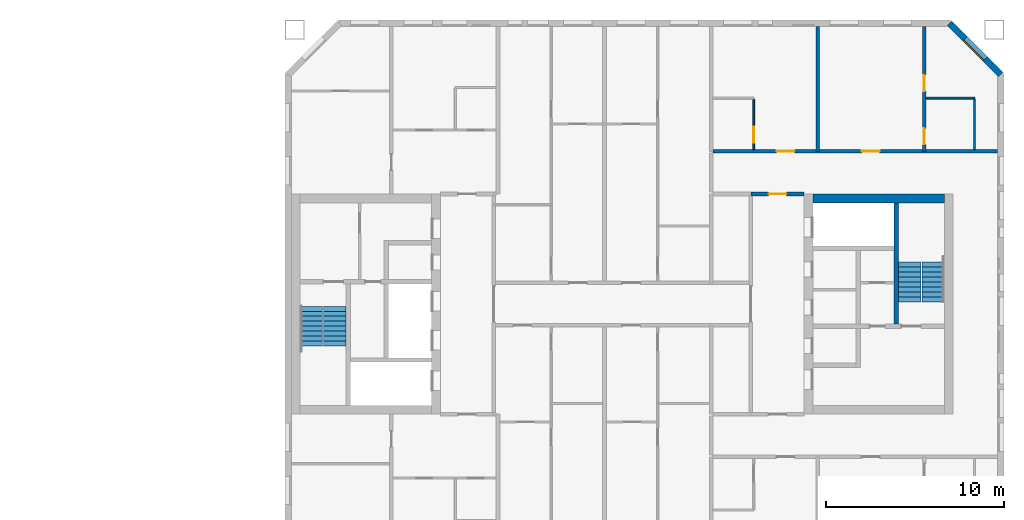
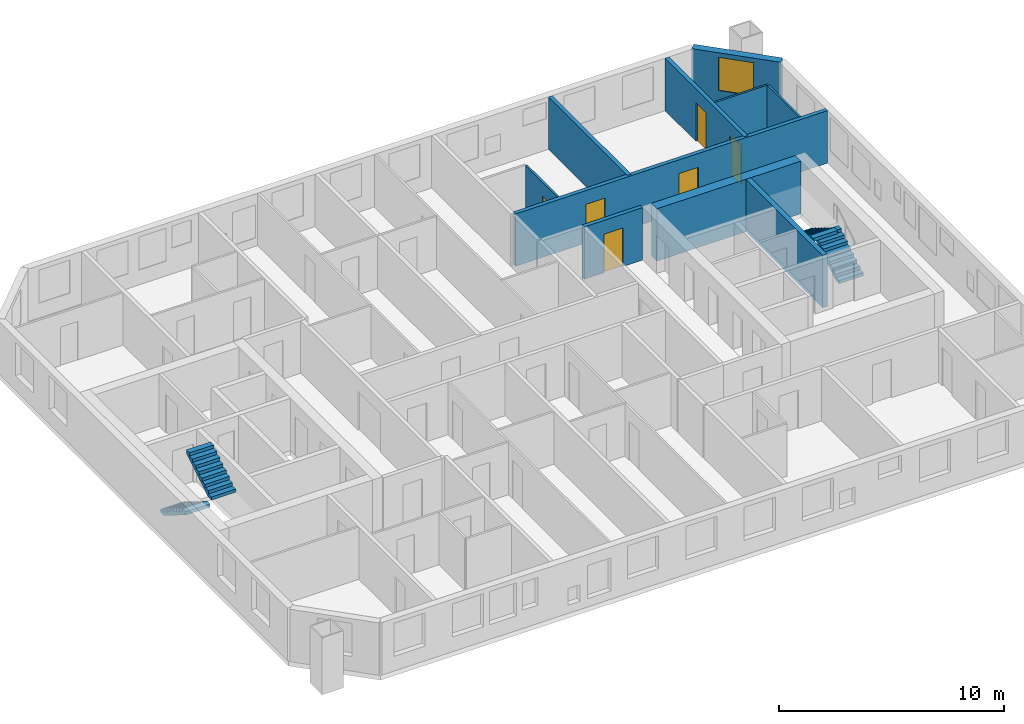
# One storey, part 14 of 16: 10 walls, 6 doors, 4 stair flights, 1 window, 7 openings, 2 elements without a shape of their own.
"""IFC4 building model written with IfcOpenShell, lengths in metres."""

from ifc_helpers import new_model, si_unit, direction, frame, frame_2d, origin, place, context, subcontext, project, spatial, polyline, rectangle, outline, extrude, material, layer, layer_set, type_object, element, fill, aggregate, save


model = new_model("IFC4")

# Units and contexts
model_context = context("Model", 3, precision=1e-05, world=origin(), true_north=direction((0.0, 1.0)))
body_context = subcontext(model_context, "Body", "Model", "MODEL_VIEW")
ifc_project = project(units=[si_unit("LENGTHUNIT", "METRE"), si_unit("AREAUNIT", "SQUARE_METRE"), si_unit("VOLUMEUNIT", "CUBIC_METRE"), si_unit("PLANEANGLEUNIT", "RADIAN"), si_unit("MASSUNIT", "GRAM", prefix="KILO")], contexts=[model_context])

# Site, building, storey
site_placement = place(None, origin())
site = spatial("IfcSite", under=ifc_project, at=site_placement, CompositionType="ELEMENT")
building_placement = place(site_placement, origin())
building = spatial("IfcBuilding", under=site, at=building_placement, Name="Tuart Gate Housing", CompositionType="ELEMENT")
storey_placement = place(building_placement, frame((0.0, 0.0, 157.800048828125)))
storey = spatial("IfcBuildingStorey", under=building, at=storey_placement, Name="L44", CompositionType="ELEMENT", Elevation=157.800048828125)

# Wall, opening, window
ifc_material_1 = material(Name="Brick", Category="masonry")
ifc_layer_1 = layer(ifc_material_1, 0.360107421875)
ifc_layer_set_1 = layer_set([ifc_layer_1], Name="Brick pier and spandrel wall 360")
wall_type_1 = type_object("IfcWallType", Name="Brick pier and spandrel wall 360", PredefinedType="STANDARD", material=ifc_layer_set_1)
wall_1_placement = place(storey_placement, frame((171.320068359375, 82.92529296875, 0.0), z_axis=(0.0, 0.0, 1.0), x_axis=(-0.707106781187, 0.707106781187, 0.0)))
wall_1 = element("IfcWall", 1, at=wall_1_placement, inside=storey, type_object=wall_type_1, Name="External wall B-NE L44", PredefinedType="STANDARD", context=body_context, shape_type="SweptSolid", body=[
    extrude(rectangle(XDim=4.09375, YDim=0.360107421875, at=frame_2d((2.046875, 0.0))), origin(), (0.0, 0.0, 1.0), 2.849853515625),
])
opening_1_placement = place(wall_1_placement, frame((1.2470703125, 0.0, 0.800048828125)))
opening_1 = element("IfcOpeningElement", 2, at=opening_1_placement, cuts=wall_1, Name="Opening W1", PredefinedType="OPENING", context=body_context, shape_type="SweptSolid", body=[
    extrude(rectangle(XDim=1.60009765625, YDim=1.800048828125, at=frame_2d((0.800048828125, 0.89990234375))), frame((0.0, 0.18994140625, 0.0), z_axis=(0.0, -1.0, 0.0), x_axis=(1.0, 0.0, 0.0)), (0.0, 0.0, 1.0), 0.380126953125),
])
ifc_material_2 = material(Name="Aluminium frame with clear glass", Category="aluminium")
window_type = type_object("IfcWindowType", Name="Punched window 1600 x 1800", PartitioningType="SINGLE_PANEL", PredefinedType="WINDOW", material=ifc_material_2)
window_placement = place(opening_1_placement, origin())
window = element("IfcWindow", 3, at=window_placement, inside=storey, type_object=window_type, Name="Window W1", OverallHeight=1.800048828125, OverallWidth=1.60009765625, PartitioningType="SINGLE_PANEL", PredefinedType="WINDOW", context=body_context, shape_type="SweptSolid", body=[
    extrude(rectangle(XDim=1.60009765625, YDim=1.800048828125, at=frame_2d((0.800048828125, 0.89990234375))), frame((0.0, 0.150146484375, 0.0), z_axis=(0.0, -1.0, 0.0), x_axis=(1.0, 0.0, 0.0)), (0.0, 0.0, 1.0), 0.06005859375),
])
fill(opening_1, window)

# Walls
ifc_material_3 = material(Name="Concrete C40", Category="concrete")
ifc_layer_2 = layer(ifc_material_3, 0.25)
ifc_layer_set_2 = layer_set([ifc_layer_2], Name="Core wall 250 C40")
wall_type_2 = type_object("IfcWallType", Name="Core wall 250 C40", PredefinedType="SHEAR", material=ifc_layer_set_2)
wall_2_placement = place(storey_placement, frame((165.43994140625, 75.699951171875, 0.0), z_axis=(0.0, 0.0, 1.0), x_axis=(0.0, -1.0, 0.0)))
element("IfcWall", 4, at=wall_2_placement, inside=storey, type_object=wall_type_2, Name="Core wall BK.8", PredefinedType="SHEAR", context=body_context, shape_type="SweptSolid", body=[
    extrude(rectangle(XDim=6.824951171875, YDim=0.25, at=frame_2d((3.41259765625, 0.0))), origin(), (0.0, 0.0, 1.0), 2.849853515625),
])
ifc_material_4 = material(Name="Concrete C40", Category="concrete")
ifc_layer_3 = layer(ifc_material_4, 0.5)
ifc_layer_set_3 = layer_set([ifc_layer_3], Name="Core wall 500 C40")
wall_type_3 = type_object("IfcWallType", Name="Core wall 500 C40", PredefinedType="SHEAR", material=ifc_layer_set_3)
wall_3_placement = place(storey_placement, frame((160.739990234375, 75.949951171875, 0.0), z_axis=(0.0, 0.0, 1.0), x_axis=(1.0, 0.0, 0.0)))
element("IfcWall", 5, at=wall_3_placement, inside=storey, type_object=wall_type_3, Name="Core wall BK south", PredefinedType="SHEAR", context=body_context, shape_type="SweptSolid", body=[
    extrude(rectangle(XDim=7.39990234375, YDim=0.5, at=frame_2d((3.699951171875, 0.0))), origin(), (0.0, 0.0, 1.0), 2.849853515625),
])

# Wall, openings, doors
ifc_material_5 = material(Name="Concrete masonry 15 MPa", Category="masonry")
ifc_layer_4 = layer(ifc_material_5, 0.199951171875)
ifc_layer_set_4 = layer_set([ifc_layer_4], Name="Corridor wall masonry 200")
wall_type_4 = type_object("IfcWallType", Name="Corridor wall masonry 200", PredefinedType="PARTITIONING", material=ifc_layer_set_4)
wall_4_placement = place(storey_placement, frame((155.10009765625, 78.60009765625, 0.0), z_axis=(0.0, 0.0, 1.0), x_axis=(1.0, 0.0, 0.0)))
wall_4 = element("IfcWall", 6, at=wall_4_placement, inside=storey, type_object=wall_type_4, Name="Corridor wall masonry 200", PredefinedType="PARTITIONING", context=body_context, shape_type="SweptSolid", body=[
    extrude(rectangle(XDim=16.039794921875, YDim=0.199951171875, at=frame_2d((8.02001953125, 0.0))), origin(), (0.0, 0.0, 1.0), 2.849853515625),
])
opening_2_placement = place(wall_4_placement, frame((3.60009765625, 0.0, 0.0)))
opening_2 = element("IfcOpeningElement", 7, at=opening_2_placement, cuts=wall_4, Name="Opening D1690", PredefinedType="OPENING", context=body_context, shape_type="SweptSolid", body=[
    extrude(rectangle(XDim=1.0, YDim=2.10009765625, at=frame_2d((0.5, 1.050048828125))), frame((0.0, 0.10986328125, 0.0), z_axis=(0.0, -1.0, 0.0), x_axis=(1.0, 0.0, 0.0)), (0.0, 0.0, 1.0), 0.219970703125),
])
opening_3_placement = place(wall_4_placement, frame((8.39990234375, 0.0, 0.0)))
opening_3 = element("IfcOpeningElement", 8, at=opening_3_placement, cuts=wall_4, Name="Opening D1691", PredefinedType="OPENING", context=body_context, shape_type="SweptSolid", body=[
    extrude(rectangle(XDim=1.0, YDim=2.10009765625, at=frame_2d((0.5, 1.050048828125))), frame((0.0, 0.10986328125, 0.0), z_axis=(0.0, -1.0, 0.0), x_axis=(1.0, 0.0, 0.0)), (0.0, 0.0, 1.0), 0.219970703125),
])
ifc_material_6 = material(Name="Timber door leaf in steel frame", Category="steel")
door_type_1 = type_object("IfcDoorType", Name="Flat entrance door 1000", OperationType="SINGLE_SWING_LEFT", PredefinedType="DOOR", material=ifc_material_6)
door_1_placement = place(opening_2_placement, origin())
door_1 = element("IfcDoor", 9, at=door_1_placement, inside=storey, type_object=door_type_1, Name="Flat entrance door", OperationType="SINGLE_SWING_LEFT", OverallHeight=2.10009765625, OverallWidth=1.0, PredefinedType="DOOR", context=body_context, shape_type="SweptSolid", body=[
    extrude(rectangle(XDim=1.0, YDim=2.10009765625, at=frame_2d((0.5, 1.050048828125))), frame((0.0, 0.02490234375, 0.0), z_axis=(0.0, -1.0, 0.0), x_axis=(1.0, 0.0, 0.0)), (0.0, 0.0, 1.0), 0.050048828125),
])
fill(opening_2, door_1)
door_2_placement = place(opening_3_placement, origin())
door_2 = element("IfcDoor", 10, at=door_2_placement, inside=storey, type_object=door_type_1, Name="Flat entrance door", OperationType="SINGLE_SWING_LEFT", OverallHeight=2.10009765625, OverallWidth=1.0, PredefinedType="DOOR", context=body_context, shape_type="SweptSolid", body=[
    extrude(rectangle(XDim=1.0, YDim=2.10009765625, at=frame_2d((0.5, 1.050048828125))), frame((0.0, 0.02490234375, 0.0), z_axis=(0.0, -1.0, 0.0), x_axis=(1.0, 0.0, 0.0)), (0.0, 0.0, 1.0), 0.050048828125),
])
fill(opening_3, door_2)

# Wall, opening, door
ifc_material_7 = material(Name="Concrete masonry 15 MPa", Category="masonry")
ifc_layer_5 = layer(ifc_material_7, 0.199951171875)
ifc_layer_set_5 = layer_set([ifc_layer_5], Name="Enclosure wall masonry 200")
wall_type_5 = type_object("IfcWallType", Name="Enclosure wall masonry 200", PredefinedType="PARTITIONING", material=ifc_layer_set_5)
wall_5_placement = place(storey_placement, frame((157.239990234375, 76.199951171875, 0.0), z_axis=(0.0, 0.0, 1.0), x_axis=(1.0, 0.0, 0.0)))
wall_5 = element("IfcWall", 11, at=wall_5_placement, inside=storey, type_object=wall_type_5, Name="Enclosure wall masonry 200", PredefinedType="PARTITIONING", context=body_context, shape_type="SweptSolid", body=[
    extrude(rectangle(XDim=3.0, YDim=0.199951171875, at=frame_2d((1.5, 0.0))), origin(), (0.0, 0.0, 1.0), 2.849853515625),
])
opening_4_placement = place(wall_5_placement, frame((1.0, 0.0, 0.0)))
opening_4 = element("IfcOpeningElement", 12, at=opening_4_placement, cuts=wall_5, Name="Opening D1697", PredefinedType="OPENING", context=body_context, shape_type="SweptSolid", body=[
    extrude(rectangle(XDim=1.0, YDim=2.10009765625, at=frame_2d((0.5, 1.050048828125))), frame((0.0, 0.10986328125, 0.0), z_axis=(0.0, -1.0, 0.0), x_axis=(1.0, 0.0, 0.0)), (0.0, 0.0, 1.0), 0.219970703125),
])
ifc_material_8 = material(Name="Timber door leaf in steel frame", Category="steel")
door_type_2 = type_object("IfcDoorType", Name="Fire door 1000", OperationType="SINGLE_SWING_LEFT", PredefinedType="DOOR", material=ifc_material_8)
door_3_placement = place(opening_4_placement, origin())
door_3 = element("IfcDoor", 13, at=door_3_placement, inside=storey, type_object=door_type_2, Name="Fire door", OperationType="SINGLE_SWING_LEFT", OverallHeight=2.10009765625, OverallWidth=1.0, PredefinedType="DOOR", context=body_context, shape_type="SweptSolid", body=[
    extrude(rectangle(XDim=1.0, YDim=2.10009765625, at=frame_2d((0.5, 1.050048828125))), frame((0.0, 0.02490234375, 0.0), z_axis=(0.0, -1.0, 0.0), x_axis=(1.0, 0.0, 0.0)), (0.0, 0.0, 1.0), 0.050048828125),
])
fill(opening_4, door_3)

# Wall
ifc_material_9 = material(Name="Gypsum board on steel studs", Category="steel")
ifc_layer_6 = layer(ifc_material_9, 0.10009765625)
ifc_layer_set_6 = layer_set([ifc_layer_6], Name="Partition 100")
wall_type_6 = type_object("IfcWallType", Name="Partition 100", PredefinedType="PARTITIONING", material=ifc_layer_set_6)
wall_6_placement = place(storey_placement, frame((167.10009765625, 81.60009765625, 0.0), z_axis=(0.0, 0.0, 1.0), x_axis=(1.0, 0.0, 0.0)))
element("IfcWall", 14, at=wall_6_placement, inside=storey, type_object=wall_type_6, Name="Partition 100", PredefinedType="PARTITIONING", context=body_context, shape_type="SweptSolid", body=[
    extrude(rectangle(XDim=2.739990234375, YDim=0.10009765625, at=frame_2d((1.3701171875, 0.0))), origin(), (0.0, 0.0, 1.0), 2.849853515625),
])

# Wall, opening, door
wall_7_placement = place(storey_placement, frame((157.39990234375, 78.699951171875, 0.0), z_axis=(0.0, 0.0, 1.0), x_axis=(0.0, 1.0, 0.0)))
wall_7 = element("IfcWall", 15, at=wall_7_placement, inside=storey, type_object=wall_type_6, Name="Partition 100", PredefinedType="PARTITIONING", context=body_context, shape_type="SweptSolid", body=[
    extrude(rectangle(XDim=2.85009765625, YDim=0.10009765625, at=frame_2d((1.425048828125, 0.0))), origin(), (0.0, 0.0, 1.0), 2.849853515625),
])
opening_5_placement = place(wall_7_placement, frame((0.39990234375, 0.0, 0.0)))
opening_5 = element("IfcOpeningElement", 16, at=opening_5_placement, cuts=wall_7, Name="Opening D1687", PredefinedType="OPENING", context=body_context, shape_type="SweptSolid", body=[
    extrude(rectangle(XDim=0.89990234375, YDim=2.10009765625, at=frame_2d((0.449951171875, 1.050048828125))), frame((0.0, 0.06005859375, 0.0), z_axis=(0.0, -1.0, 0.0), x_axis=(1.0, 0.0, 0.0)), (0.0, 0.0, 1.0), 0.1201171875),
])
ifc_material_10 = material(Name="Timber door leaf in steel frame", Category="steel")
door_type_3 = type_object("IfcDoorType", Name="Bathroom door 900", OperationType="SINGLE_SWING_LEFT", PredefinedType="DOOR", material=ifc_material_10)
door_4_placement = place(opening_5_placement, origin())
door_4 = element("IfcDoor", 17, at=door_4_placement, inside=storey, type_object=door_type_3, Name="Bathroom door", OperationType="SINGLE_SWING_LEFT", OverallHeight=2.10009765625, OverallWidth=0.89990234375, PredefinedType="DOOR", context=body_context, shape_type="SweptSolid", body=[
    extrude(rectangle(XDim=0.89990234375, YDim=2.10009765625, at=frame_2d((0.449951171875, 1.050048828125))), frame((0.0, 0.02490234375, 0.0), z_axis=(0.0, -1.0, 0.0), x_axis=(1.0, 0.0, 0.0)), (0.0, 0.0, 1.0), 0.050048828125),
])
fill(opening_5, door_4)

# Walls
wall_8_placement = place(storey_placement, frame((169.840087890625, 78.699951171875, 0.0), z_axis=(0.0, 0.0, 1.0), x_axis=(0.0, 1.0, 0.0)))
element("IfcWall", 18, at=wall_8_placement, inside=storey, type_object=wall_type_6, Name="Partition 100", PredefinedType="PARTITIONING", context=body_context, shape_type="SweptSolid", body=[
    extrude(rectangle(XDim=2.85009765625, YDim=0.10009765625, at=frame_2d((1.425048828125, 0.0))), origin(), (0.0, 0.0, 1.0), 2.849853515625),
])
ifc_material_11 = material(Name="Concrete C40", Category="concrete")
ifc_layer_7 = layer(ifc_material_11, 0.199951171875)
ifc_layer_set_7 = layer_set([ifc_layer_7], Name="Party wall concrete C40 200")
wall_type_7 = type_object("IfcWallType", Name="Party wall concrete C40 200", PredefinedType="SOLIDWALL", material=ifc_layer_set_7)
wall_9_placement = place(storey_placement, frame((161.0, 78.60009765625, 0.0), z_axis=(0.0, 0.0, 1.0), x_axis=(0.0, 1.0, 0.0)))
element("IfcWall", 19, at=wall_9_placement, inside=storey, type_object=wall_type_7, Name="Party wall concrete C40 200", PredefinedType="SOLIDWALL", context=body_context, shape_type="SweptSolid", body=[
    extrude(rectangle(XDim=7.039794921875, YDim=0.199951171875, at=frame_2d((3.52001953125, 0.0))), origin(), (0.0, 0.0, 1.0), 2.849853515625),
])

# Wall, openings, doors
wall_10_placement = place(storey_placement, frame((167.0, 78.60009765625, 0.0), z_axis=(0.0, 0.0, 1.0), x_axis=(0.0, 1.0, 0.0)))
wall_10 = element("IfcWall", 20, at=wall_10_placement, inside=storey, type_object=wall_type_7, Name="Party wall concrete C40 200", PredefinedType="SOLIDWALL", context=body_context, shape_type="SweptSolid", body=[
    extrude(rectangle(XDim=7.039794921875, YDim=0.199951171875, at=frame_2d((3.52001953125, 0.0))), origin(), (0.0, 0.0, 1.0), 2.849853515625),
])
opening_6_placement = place(wall_10_placement, frame((3.39990234375, 0.0, 0.0)))
opening_6 = element("IfcOpeningElement", 21, at=opening_6_placement, cuts=wall_10, Name="Opening D1682", PredefinedType="OPENING", context=body_context, shape_type="SweptSolid", body=[
    extrude(rectangle(XDim=0.89990234375, YDim=2.10009765625, at=frame_2d((0.449951171875, 1.050048828125))), frame((0.0, 0.10986328125, 0.0), z_axis=(0.0, -1.0, 0.0), x_axis=(1.0, 0.0, 0.0)), (0.0, 0.0, 1.0), 0.219970703125),
])
opening_7_placement = place(wall_10_placement, frame((0.39990234375, 0.0, 0.0)))
opening_7 = element("IfcOpeningElement", 22, at=opening_7_placement, cuts=wall_10, Name="Opening D1681", PredefinedType="OPENING", context=body_context, shape_type="SweptSolid", body=[
    extrude(rectangle(XDim=0.89990234375, YDim=2.10009765625, at=frame_2d((0.449951171875, 1.050048828125))), frame((0.0, 0.10986328125, 0.0), z_axis=(0.0, -1.0, 0.0), x_axis=(1.0, 0.0, 0.0)), (0.0, 0.0, 1.0), 0.219970703125),
])
ifc_material_12 = material(Name="Timber door leaf in steel frame", Category="steel")
door_type_4 = type_object("IfcDoorType", Name="Bathroom door 900 RH", OperationType="SINGLE_SWING_RIGHT", PredefinedType="DOOR", material=ifc_material_12)
door_5_placement = place(opening_7_placement, frame((0.89990234375, 0.0, 0.0), z_axis=(0.0, 0.0, 1.0), x_axis=(-1.0, 0.0, 0.0)))
door_5 = element("IfcDoor", 23, at=door_5_placement, inside=storey, type_object=door_type_4, Name="Bathroom door", OperationType="SINGLE_SWING_RIGHT", OverallHeight=2.10009765625, OverallWidth=0.89990234375, PredefinedType="DOOR", context=body_context, shape_type="SweptSolid", body=[
    extrude(rectangle(XDim=0.89990234375, YDim=2.10009765625, at=frame_2d((0.449951171875, 1.050048828125))), frame((0.0, 0.025146484375, 0.0), z_axis=(0.0, -1.0, 0.0), x_axis=(1.0, 0.0, 0.0)), (0.0, 0.0, 1.0), 0.050048828125),
])
fill(opening_7, door_5)
ifc_material_13 = material(Name="Timber door leaf in steel frame", Category="steel")
door_type_5 = type_object("IfcDoorType", Name="Internal door 900 RH", OperationType="SINGLE_SWING_RIGHT", PredefinedType="DOOR", material=ifc_material_13)
door_6_placement = place(opening_6_placement, frame((0.89990234375, 0.0, 0.0), z_axis=(0.0, 0.0, 1.0), x_axis=(-1.0, 0.0, 0.0)))
door_6 = element("IfcDoor", 24, at=door_6_placement, inside=storey, type_object=door_type_5, Name="Internal door", OperationType="SINGLE_SWING_RIGHT", OverallHeight=2.10009765625, OverallWidth=0.89990234375, PredefinedType="DOOR", context=body_context, shape_type="SweptSolid", body=[
    extrude(rectangle(XDim=0.89990234375, YDim=2.10009765625, at=frame_2d((0.449951171875, 1.050048828125))), frame((0.0, 0.025146484375, 0.0), z_axis=(0.0, -1.0, 0.0), x_axis=(1.0, 0.0, 0.0)), (0.0, 0.0, 1.0), 0.050048828125),
])
fill(opening_6, door_6)

# Stair, stair flights
ifc_material_14 = material(Name="Concrete C40", Category="concrete")
stair_type = type_object("IfcStairType", Name="Core stair 1250", PredefinedType="HALF_TURN_STAIR", material=ifc_material_14)
stair_1_placement = place(storey_placement, origin())
stair_1 = element("IfcStair", 25, at=stair_1_placement, inside=storey, type_object=stair_type, Name="Stair SB1", PredefinedType="HALF_TURN_STAIR")
ifc_material_15 = material(Name="Concrete C40", Category="concrete")
stair_flight_type = type_object("IfcStairFlightType", Name="Stair flight 1250, 9 risers 172 x 280", PredefinedType="STRAIGHT", material=ifc_material_15)
stair_flight_1_placement = place(storey_placement, frame((132.485107421875, 69.875, 0.0), z_axis=(0.0, 0.0, 1.0), x_axis=(0.0, -1.0, 0.0)))
stair_flight_1 = element("IfcStairFlight", 26, at=stair_flight_1_placement, type_object=stair_flight_type, Name="SB1 flight 1", NumberOfRisers=9, NumberOfTreads=8, PredefinedType="STRAIGHT", RiserHeight=0.172222222, TreadLength=0.28, context=body_context, shape_type="SweptSolid", body=[
    extrude(outline(polyline([(0.0, 0.0), (0.0, 0.172119140625), (0.280029296875, 0.172119140625), (0.280029296875, 0.344482421875), (0.56005859375, 0.344482421875), (0.56005859375, 0.5166015625), (0.840087890625, 0.5166015625), (0.840087890625, 0.68896484375), (1.1201171875, 0.68896484375), (1.1201171875, 0.861083984375), (1.39990234375, 0.861083984375), (1.39990234375, 1.033447265625), (1.679931640625, 1.033447265625), (1.679931640625, 1.20556640625), (1.9599609375, 1.20556640625), (1.9599609375, 1.377685546875), (2.239990234375, 1.377685546875), (2.239990234375, 1.550048828125), (2.239990234375, 1.201904296875), (0.2861328125, 0.0), (0.0, 0.0)])), frame((0.0, 0.625, 0.0), z_axis=(0.0, -1.0, 0.0), x_axis=(1.0, 0.0, 0.0)), (0.0, 0.0, 1.0), 1.25),
])
stair_flight_2_placement = place(storey_placement, frame((133.81005859375, 67.635009765625, 1.550048828125), z_axis=(0.0, 0.0, 1.0), x_axis=(0.0, 1.0, 0.0)))
stair_flight_2 = element("IfcStairFlight", 27, at=stair_flight_2_placement, type_object=stair_flight_type, Name="SB1 flight 2", NumberOfRisers=9, NumberOfTreads=8, PredefinedType="STRAIGHT", RiserHeight=0.172222222, TreadLength=0.28, context=body_context, shape_type="SweptSolid", body=[
    extrude(outline(polyline([(0.0, 0.0), (0.0, 0.172119140625), (0.280029296875, 0.172119140625), (0.280029296875, 0.344482421875), (0.56005859375, 0.344482421875), (0.56005859375, 0.5166015625), (0.840087890625, 0.5166015625), (0.840087890625, 0.68896484375), (1.1201171875, 0.68896484375), (1.1201171875, 0.861083984375), (1.39990234375, 0.861083984375), (1.39990234375, 1.033447265625), (1.679931640625, 1.033447265625), (1.679931640625, 1.20556640625), (1.9599609375, 1.20556640625), (1.9599609375, 1.377685546875), (2.239990234375, 1.377685546875), (2.239990234375, 1.550048828125), (2.239990234375, 1.201904296875), (0.2861328125, 0.0), (0.0, 0.0)])), frame((0.0, 0.625, 0.0), z_axis=(0.0, -1.0, 0.0), x_axis=(1.0, 0.0, 0.0)), (0.0, 0.0, 1.0), 1.25),
])
aggregate(stair_1, [stair_flight_1, stair_flight_2])

stair_2_placement = place(storey_placement, origin())
stair_2 = element("IfcStair", 28, at=stair_2_placement, inside=storey, type_object=stair_type, Name="Stair SB2", PredefinedType="HALF_TURN_STAIR")
stair_flight_3_placement = place(storey_placement, frame((167.514892578125, 70.125, 0.0), z_axis=(0.0, 0.0, 1.0), x_axis=(0.0, 1.0, 0.0)))
stair_flight_3 = element("IfcStairFlight", 29, at=stair_flight_3_placement, type_object=stair_flight_type, Name="SB2 flight 1", NumberOfRisers=9, NumberOfTreads=8, PredefinedType="STRAIGHT", RiserHeight=0.172222222, TreadLength=0.28, context=body_context, shape_type="SweptSolid", body=[
    extrude(outline(polyline([(0.0, 0.0), (0.0, 0.172119140625), (0.280029296875, 0.172119140625), (0.280029296875, 0.344482421875), (0.56005859375, 0.344482421875), (0.56005859375, 0.5166015625), (0.840087890625, 0.5166015625), (0.840087890625, 0.68896484375), (1.1201171875, 0.68896484375), (1.1201171875, 0.861083984375), (1.39990234375, 0.861083984375), (1.39990234375, 1.033447265625), (1.679931640625, 1.033447265625), (1.679931640625, 1.20556640625), (1.9599609375, 1.20556640625), (1.9599609375, 1.377685546875), (2.239990234375, 1.377685546875), (2.239990234375, 1.550048828125), (2.239990234375, 1.201904296875), (0.2861328125, 0.0), (0.0, 0.0)])), frame((0.0, 0.625, 0.0), z_axis=(0.0, -1.0, 0.0), x_axis=(1.0, 0.0, 0.0)), (0.0, 0.0, 1.0), 1.25),
])
stair_flight_4_placement = place(storey_placement, frame((166.18994140625, 72.364990234375, 1.550048828125), z_axis=(0.0, 0.0, 1.0), x_axis=(0.0, -1.0, 0.0)))
stair_flight_4 = element("IfcStairFlight", 30, at=stair_flight_4_placement, type_object=stair_flight_type, Name="SB2 flight 2", NumberOfRisers=9, NumberOfTreads=8, PredefinedType="STRAIGHT", RiserHeight=0.172222222, TreadLength=0.28, context=body_context, shape_type="SweptSolid", body=[
    extrude(outline(polyline([(0.0, 0.0), (0.0, 0.172119140625), (0.280029296875, 0.172119140625), (0.280029296875, 0.344482421875), (0.56005859375, 0.344482421875), (0.56005859375, 0.5166015625), (0.840087890625, 0.5166015625), (0.840087890625, 0.68896484375), (1.1201171875, 0.68896484375), (1.1201171875, 0.861083984375), (1.39990234375, 0.861083984375), (1.39990234375, 1.033447265625), (1.679931640625, 1.033447265625), (1.679931640625, 1.20556640625), (1.9599609375, 1.20556640625), (1.9599609375, 1.377685546875), (2.239990234375, 1.377685546875), (2.239990234375, 1.550048828125), (2.239990234375, 1.201904296875), (0.2861328125, 0.0), (0.0, 0.0)])), frame((0.0, 0.625, 0.0), z_axis=(0.0, -1.0, 0.0), x_axis=(1.0, 0.0, 0.0)), (0.0, 0.0, 1.0), 1.25),
])
aggregate(stair_2, [stair_flight_3, stair_flight_4])

save(model, "model.ifc")
